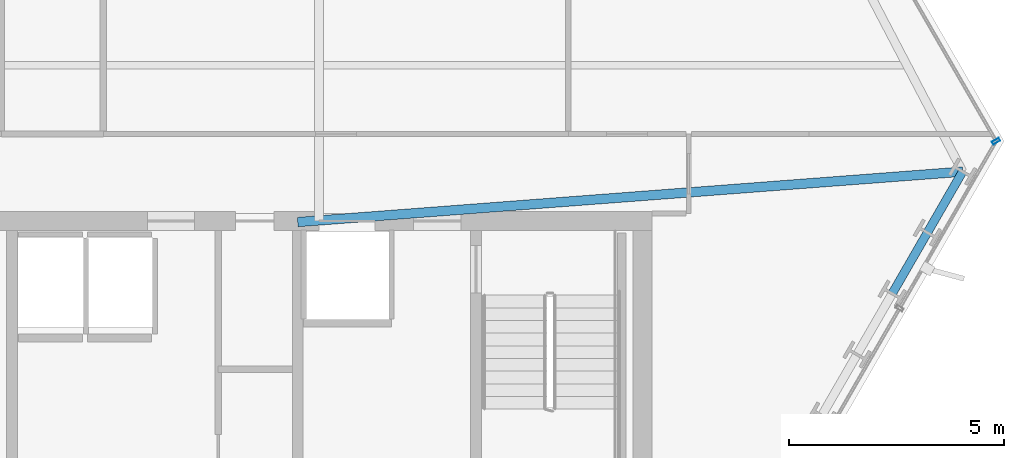
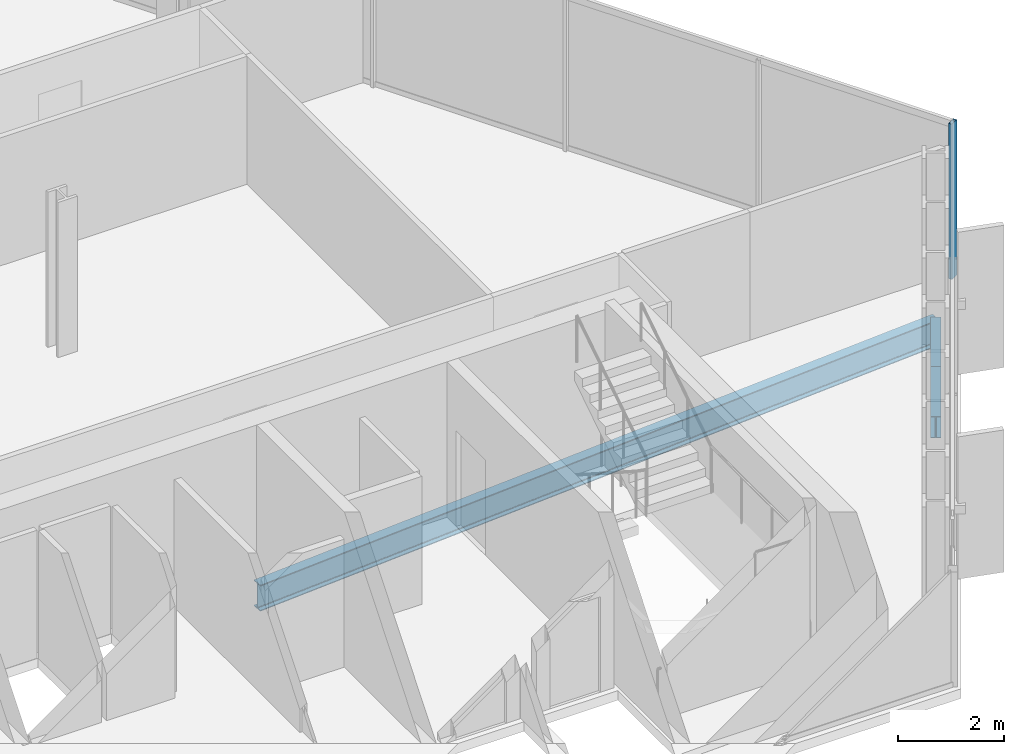
# One storey, part 16 of 31: 3 beams, 1 member, 1 element without a shape of its own.
"""IFC4 building model written with IfcOpenShell, lengths in metres."""

from ifc_helpers import new_model, si_unit, direction, frame, origin, origin_2d, place, context, subcontext, project, spatial, hollow_rectangle, i_section, extrude, material, layer, layer_set, material_profile, profile_set, type_object, element, aggregate, save


model = new_model("IFC4")

# Units and contexts
model_context = context("Model", 3, precision=1e-05, world=origin(), true_north=direction((0.0, 1.0)))
body_context = subcontext(model_context, "Body", "Model", "MODEL_VIEW")
ifc_project = project(units=[si_unit("LENGTHUNIT", "METRE"), si_unit("AREAUNIT", "SQUARE_METRE"), si_unit("VOLUMEUNIT", "CUBIC_METRE"), si_unit("PLANEANGLEUNIT", "RADIAN"), si_unit("MASSUNIT", "GRAM", prefix="KILO")], contexts=[model_context])

# Site, building, storey
site_placement = place(None, origin())
site = spatial("IfcSite", under=ifc_project, at=site_placement, CompositionType="ELEMENT")
building_placement = place(site_placement, origin())
building = spatial("IfcBuilding", under=site, at=building_placement, Name="Ndaravel Arena Tower", CompositionType="ELEMENT")
storey_placement = place(building_placement, frame((0.0, 0.0, 104.39990234375)))
storey = spatial("IfcBuildingStorey", under=building, at=storey_placement, Name="L24", CompositionType="ELEMENT", Elevation=104.39990234375)

# Beams
ifc_material_1 = material(Name="Steel S355", Category="steel")
ifc_material_profile_1 = material_profile(ifc_material_1, i_section(OverallWidth=0.219970703125, OverallDepth=0.60009765625, WebThickness=0.011962890625, FlangeThickness=0.01904296875, FilletRadius=0.02392578125, at=origin_2d()), Name="IPE 600")
ifc_profile_set_1 = profile_set([ifc_material_profile_1], Name="Steel S355")
beam_type_1 = type_object("IfcBeamType", Name="BM-GIRD-IPE600", PredefinedType="BEAM", material=ifc_profile_set_1)
beam_placement = place(storey_placement, frame((64.778076171875, 16.123291015625, -0.52001953125), z_axis=(-0.997138989027, -0.075589923677, 0.0), x_axis=(0.075589923677, -0.997138989027, 0.0)))
element("IfcBeam", 1, at=beam_placement, inside=storey, type_object=beam_type_1, Name="L24 Radial Floor Girder FG-09", PredefinedType="BEAM", context=body_context, shape_type="SweptSolid", body=[
    extrude(i_section(OverallWidth=0.219970703125, OverallDepth=0.60009765625, WebThickness=0.011962890625, FlangeThickness=0.01904296875, FilletRadius=0.02392578125, at=origin_2d()), origin(), (0.0, 0.0, 1.0), 15.5224609375),
])
ifc_material_2 = material(Name="Steel S355", Category="steel")
ifc_material_profile_2 = material_profile(ifc_material_2, i_section(OverallWidth=0.199951171875, OverallDepth=0.5, WebThickness=0.01025390625, FlangeThickness=0.01611328125, FilletRadius=0.02099609375, at=origin_2d()), Name="IPE 500")
ifc_profile_set_2 = profile_set([ifc_material_profile_2], Name="Steel S355")
beam_type_2 = type_object("IfcBeamType", Name="BM-SPAN-IPE500", PredefinedType="SPANDREL", material=ifc_profile_set_2)
for number, where, z_axis, x_axis, name in (
    (2, (63.139404296875, 13.284912109375, -0.469970703125), (0.499984679161, 0.866034249094, 0.0), (-0.866034249094, 0.499984679161, 0.0), "L24 Perimeter Spandrel Beam SP-07"),
    (3, (63.958740234375, 14.7041015625, -0.469970703125), (0.499984679161, 0.866034249094, 0.0), (-0.866034249094, 0.499984679161, 0.0), "L24 Perimeter Spandrel Beam SP-08"),
):
    element("IfcBeam", number, at=place(storey_placement, frame(where, z_axis=z_axis, x_axis=x_axis)), inside=storey, type_object=beam_type_2, Name=name, PredefinedType="SPANDREL", context=body_context, shape_type="SweptSolid", body=[
        extrude(i_section(OverallWidth=0.199951171875, OverallDepth=0.5, WebThickness=0.01025390625, FlangeThickness=0.01611328125, FilletRadius=0.02099609375, at=origin_2d()), origin(), (0.0, 0.0, 1.0), 1.638671875),
    ])

# Curtain wall, member
ifc_material_3 = material(Name="Aluminium", Category="aluminium")
ifc_layer = layer(ifc_material_3, 0.179931640625)
ifc_layer_set = layer_set([ifc_layer], Name="Aluminium")
curtain_wall_type = type_object("IfcCurtainWallType", Name="CW-SYS-03", PredefinedType="NOTDEFINED", material=ifc_layer_set)
curtain_wall_placement = place(storey_placement, origin())
curtain_wall = element("IfcCurtainWall", 4, at=curtain_wall_placement, inside=storey, type_object=curtain_wall_type, Name="L24 Faceted Crystal Curtain Wall CW-L24-E03", PredefinedType="NOTDEFINED")
ifc_material_4 = material(Name="Aluminium", Category="aluminium")
ifc_material_profile_3 = material_profile(ifc_material_4, hollow_rectangle(XDim=0.074951171875, YDim=0.179931640625, WallThickness=0.00390625, at=origin_2d()), Name="CW MULLION 75x180x4")
ifc_profile_set_3 = profile_set([ifc_material_profile_3], Name="Aluminium")
member_type = type_object("IfcMemberType", Name="MEM-CW-MUL180", PredefinedType="MULLION", material=ifc_profile_set_3)
member_placement = place(storey_placement, frame((65.557373046875, 16.832763671875, 0.0), z_axis=(0.0, 0.0, 1.0), x_axis=(-0.5, 0.866025403784, 0.0)))
member = element("IfcMember", 5, at=member_placement, type_object=member_type, Name="CW-L24-E03 Mullion 00", PredefinedType="MULLION", context=body_context, shape_type="SweptSolid", body=[
    extrude(hollow_rectangle(XDim=0.074951171875, YDim=0.179931640625, WallThickness=0.00390625, at=origin_2d()), origin(), (0.0, 0.0, 1.0), 3.580078125),
])
aggregate(curtain_wall, [member])

save(model, "model.ifc")
